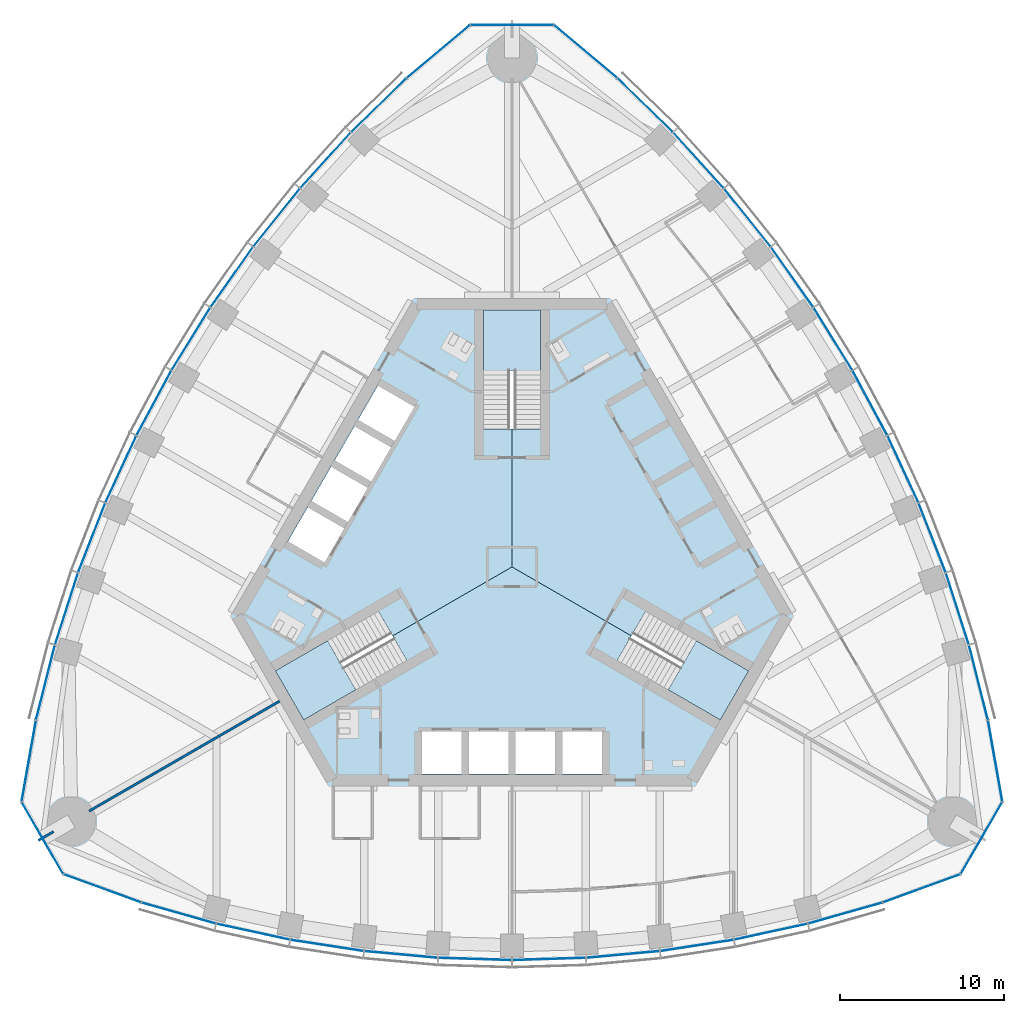
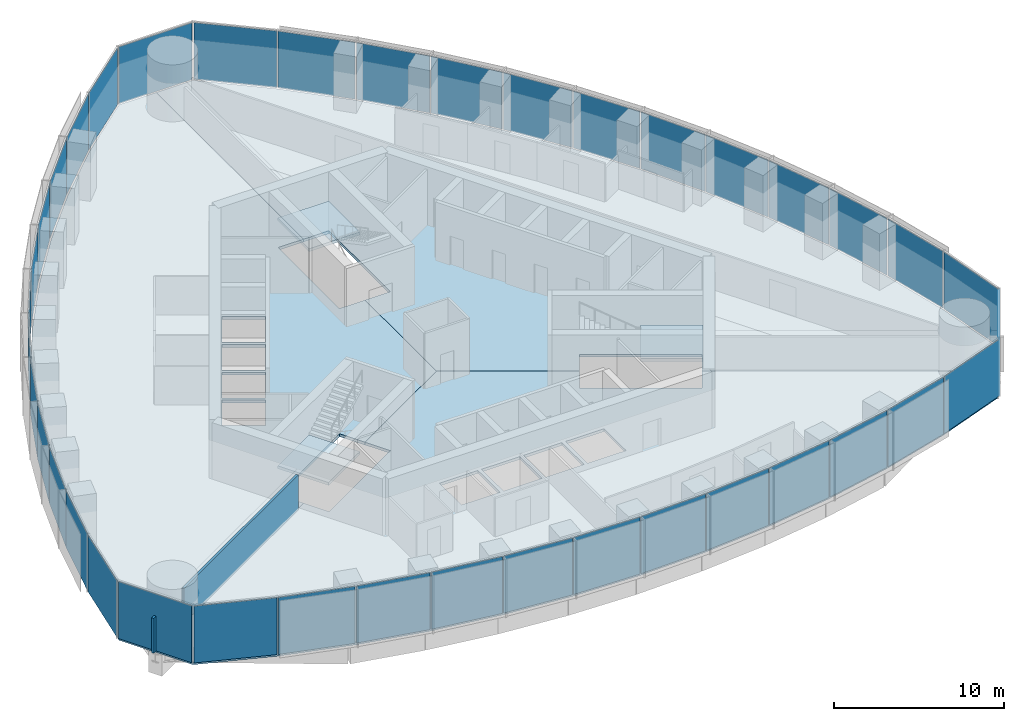
# One storey, part 7 of 15: 39 plates, 6 slabs, 2 walls, 9 elements without a shape of their own.
"""IFC4 building model written with IfcOpenShell, lengths in metres."""

from ifc_helpers import new_model, si_unit, direction, frame, frame_2d, origin, origin_2d, place, context, subcontext, project, spatial, polyline, rectangle, outline, extrude, material, layer, layer_set, type_object, element, aggregate, save


model = new_model("IFC4")

# Units and contexts
model_context = context("Model", 3, precision=1e-05, world=origin(), true_north=direction((0.0, 1.0)))
body_context = subcontext(model_context, "Body", "Model", "MODEL_VIEW")
ifc_project = project(units=[si_unit("LENGTHUNIT", "METRE"), si_unit("AREAUNIT", "SQUARE_METRE"), si_unit("VOLUMEUNIT", "CUBIC_METRE"), si_unit("PLANEANGLEUNIT", "RADIAN"), si_unit("MASSUNIT", "GRAM", prefix="KILO")], contexts=[model_context])

# Site, building, storey
site_placement = place(None, origin())
site = spatial("IfcSite", under=ifc_project, at=site_placement, CompositionType="ELEMENT")
building_placement = place(site_placement, origin())
building = spatial("IfcBuilding", under=site, at=building_placement, Name="Trefoil Bronze Tower", CompositionType="ELEMENT")
storey_placement = place(building_placement, frame((0.0, 0.0, 276.300048828125)))
storey = spatial("IfcBuildingStorey", under=building, at=storey_placement, Name="L63", CompositionType="ELEMENT", Elevation=276.300048828125)

# Curtain wall, plates
ifc_material_1 = material(Name="Tinted solar-control glass", Category="glass")
curtain_wall_type_1 = type_object("IfcCurtainWallType", Name="Bronze office curtain wall", PredefinedType="USERDEFINED", material=ifc_material_1)
curtain_wall_1_placement = place(storey_placement, origin())
curtain_wall_1 = element("IfcCurtainWall", 1, at=curtain_wall_1_placement, inside=storey, type_object=curtain_wall_type_1, Name="CW-A L63 F1", ObjectType="CURTAIN WALL", PredefinedType="USERDEFINED")
ifc_material_2 = material(Name="Tinted solar-control glass", Category="glass")
ifc_layer_1 = layer(ifc_material_2, 0.030029296875)
ifc_layer_set_1 = layer_set([ifc_layer_1], Name="Bronze office curtain wall glass panel")
plate_type_1 = type_object("IfcPlateType", Name="Bronze office curtain wall glass panel", PredefinedType="CURTAIN_PANEL", material=ifc_layer_set_1)
plate_1_placement = place(storey_placement, frame((-20.301513671875, -21.092529296875, 0.0), z_axis=(0.0, 0.0, 1.0), x_axis=(0.962097746943, -0.272704831875, 0.0)))
plate_1 = element("IfcPlate", 2, at=plate_1_placement, type_object=plate_type_1, Name="CW-A L63 F1 panel 1", PredefinedType="CURTAIN_PANEL", context=body_context, shape_type="SweptSolid", body=[
    extrude(rectangle(XDim=4.6474609375, YDim=0.030029296875, at=origin_2d()), origin(), (0.0, 0.0, 1.0), 4.080078125),
])
plate_2_placement = place(storey_placement, frame((-15.771240234375, -22.226318359375, 0.0), z_axis=(0.0, 0.0, 1.0), x_axis=(0.977303138829, -0.211845639168, 0.0)))
plate_2 = element("IfcPlate", 3, at=plate_2_placement, type_object=plate_type_1, Name="CW-A L63 F1 panel 2", PredefinedType="CURTAIN_PANEL", context=body_context, shape_type="SweptSolid", body=[
    extrude(rectangle(XDim=4.5244140625, YDim=0.030029296875, at=origin_2d()), origin(), (0.0, 0.0, 1.0), 4.080078125),
])
plate_3_placement = place(storey_placement, frame((-11.26513671875, -23.0595703125, 0.0), z_axis=(0.0, 0.0, 1.0), x_axis=(0.988485337216, -0.151316681529, 0.0)))
plate_3 = element("IfcPlate", 4, at=plate_3_placement, type_object=plate_type_1, Name="CW-A L63 F1 panel 3", PredefinedType="CURTAIN_PANEL", context=body_context, shape_type="SweptSolid", body=[
    extrude(rectangle(XDim=4.472412109375, YDim=0.030029296875, at=origin_2d()), origin(), (0.0, 0.0, 1.0), 4.080078125),
])
plate_4_placement = place(storey_placement, frame((-6.759033203125, -23.60986328125, 0.0), z_axis=(0.0, 0.0, 1.0), x_axis=(0.99587011625, -0.090789380212, 0.0)))
plate_4 = element("IfcPlate", 5, at=plate_4_placement, type_object=plate_type_1, Name="CW-A L63 F1 panel 4", PredefinedType="CURTAIN_PANEL", context=body_context, shape_type="SweptSolid", body=[
    extrude(rectangle(XDim=4.438720703125, YDim=0.030029296875, at=origin_2d()), origin(), (0.0, 0.0, 1.0), 4.080078125),
])
plate_5_placement = place(storey_placement, frame((-2.2529296875, -23.883544921875, 0.0), z_axis=(0.0, 0.0, 1.0), x_axis=(0.999541969785, -0.030263024264, 0.0)))
plate_5 = element("IfcPlate", 6, at=plate_5_placement, type_object=plate_type_1, Name="CW-A L63 F1 panel 5", PredefinedType="CURTAIN_PANEL", context=body_context, shape_type="SweptSolid", body=[
    extrude(rectangle(XDim=4.422119140625, YDim=0.030029296875, at=origin_2d()), origin(), (0.0, 0.0, 1.0), 4.080078125),
])
plate_6_placement = place(storey_placement, frame((2.2529296875, -23.883544921875, 0.0), z_axis=(0.0, 0.0, 1.0), x_axis=(0.999541969785, 0.030263024264, 0.0)))
plate_6 = element("IfcPlate", 7, at=plate_6_placement, type_object=plate_type_1, Name="CW-A L63 F1 panel 6", PredefinedType="CURTAIN_PANEL", context=body_context, shape_type="SweptSolid", body=[
    extrude(rectangle(XDim=4.422119140625, YDim=0.030029296875, at=origin_2d()), origin(), (0.0, 0.0, 1.0), 4.080078125),
])
plate_7_placement = place(storey_placement, frame((6.759033203125, -23.60986328125, 0.0), z_axis=(0.0, 0.0, 1.0), x_axis=(0.99587011625, 0.090789380212, 0.0)))
plate_7 = element("IfcPlate", 8, at=plate_7_placement, type_object=plate_type_1, Name="CW-A L63 F1 panel 7", PredefinedType="CURTAIN_PANEL", context=body_context, shape_type="SweptSolid", body=[
    extrude(rectangle(XDim=4.438720703125, YDim=0.030029296875, at=origin_2d()), origin(), (0.0, 0.0, 1.0), 4.080078125),
])
plate_8_placement = place(storey_placement, frame((11.26513671875, -23.0595703125, 0.0), z_axis=(0.0, 0.0, 1.0), x_axis=(0.988485337216, 0.151316681529, 0.0)))
plate_8 = element("IfcPlate", 9, at=plate_8_placement, type_object=plate_type_1, Name="CW-A L63 F1 panel 8", PredefinedType="CURTAIN_PANEL", context=body_context, shape_type="SweptSolid", body=[
    extrude(rectangle(XDim=4.472412109375, YDim=0.030029296875, at=origin_2d()), origin(), (0.0, 0.0, 1.0), 4.080078125),
])
plate_9_placement = place(storey_placement, frame((15.771240234375, -22.226318359375, 0.0), z_axis=(0.0, 0.0, 1.0), x_axis=(0.977303138829, 0.211845639168, 0.0)))
plate_9 = element("IfcPlate", 10, at=plate_9_placement, type_object=plate_type_1, Name="CW-A L63 F1 panel 9", PredefinedType="CURTAIN_PANEL", context=body_context, shape_type="SweptSolid", body=[
    extrude(rectangle(XDim=4.5244140625, YDim=0.030029296875, at=origin_2d()), origin(), (0.0, 0.0, 1.0), 4.080078125),
])
plate_10_placement = place(storey_placement, frame((20.301513671875, -21.092529296875, 0.0), z_axis=(0.0, 0.0, 1.0), x_axis=(0.962097746943, 0.272704831875, 0.0)))
plate_10 = element("IfcPlate", 11, at=plate_10_placement, type_object=plate_type_1, Name="CW-A L63 F1 panel 10", PredefinedType="CURTAIN_PANEL", context=body_context, shape_type="SweptSolid", body=[
    extrude(rectangle(XDim=4.6474609375, YDim=0.030029296875, at=origin_2d()), origin(), (0.0, 0.0, 1.0), 4.080078125),
])
aggregate(curtain_wall_1, [plate_1, plate_2, plate_3, plate_4, plate_5, plate_6, plate_7, plate_8, plate_9, plate_10])

curtain_wall_2_placement = place(storey_placement, origin())
curtain_wall_2 = element("IfcCurtainWall", 12, at=curtain_wall_2_placement, inside=storey, type_object=curtain_wall_type_1, Name="CW-A L63 F2", ObjectType="CURTAIN WALL", PredefinedType="USERDEFINED")
plate_11_placement = place(storey_placement, frame((28.417236328125, -7.035400390625, 0.0), z_axis=(0.0, 0.0, 1.0), x_axis=(-0.244879561333, 0.969553505713, 0.0)))
plate_11 = element("IfcPlate", 13, at=plate_11_placement, type_object=plate_type_1, Name="CW-A L63 F2 panel 1", PredefinedType="CURTAIN_PANEL", context=body_context, shape_type="SweptSolid", body=[
    extrude(rectangle(XDim=4.6474609375, YDim=0.030029296875, at=origin_2d()), origin(), (0.0, 0.0, 1.0), 4.080078125),
])
plate_12_placement = place(storey_placement, frame((27.134033203125, -2.545166015625, 0.0), z_axis=(0.0, 0.0, 1.0), x_axis=(-0.305187864214, 0.952292165009, 0.0)))
plate_12 = element("IfcPlate", 14, at=plate_12_placement, type_object=plate_type_1, Name="CW-A L63 F2 panel 2", PredefinedType="CURTAIN_PANEL", context=body_context, shape_type="SweptSolid", body=[
    extrude(rectangle(XDim=4.5244140625, YDim=0.030029296875, at=origin_2d()), origin(), (0.0, 0.0, 1.0), 4.080078125),
])
plate_13_placement = place(storey_placement, frame((25.602783203125, 1.77392578125, 0.0), z_axis=(0.0, 0.0, 1.0), x_axis=(-0.363198578387, 0.931711754062, 0.0)))
plate_13 = element("IfcPlate", 15, at=plate_13_placement, type_object=plate_type_1, Name="CW-A L63 F2 panel 3", PredefinedType="CURTAIN_PANEL", context=body_context, shape_type="SweptSolid", body=[
    extrude(rectangle(XDim=4.472412109375, YDim=0.030029296875, at=origin_2d()), origin(), (0.0, 0.0, 1.0), 4.080078125),
])
plate_14_placement = place(storey_placement, frame((23.826171875, 5.951416015625, 0.0), z_axis=(0.0, 0.0, 1.0), x_axis=(-0.419309148468, 0.907843509649, 0.0)))
plate_14 = element("IfcPlate", 16, at=plate_14_placement, type_object=plate_type_1, Name="CW-A L63 F2 panel 4", PredefinedType="CURTAIN_PANEL", context=body_context, shape_type="SweptSolid", body=[
    extrude(rectangle(XDim=4.438720703125, YDim=0.030029296875, at=origin_2d()), origin(), (0.0, 0.0, 1.0), 4.080078125),
])
plate_15_placement = place(storey_placement, frame((21.81005859375, 9.990478515625, 0.0), z_axis=(0.0, 0.0, 1.0), x_axis=(-0.473562437085, 0.880760250115, 0.0)))
plate_15 = element("IfcPlate", 17, at=plate_15_placement, type_object=plate_type_1, Name="CW-A L63 F2 panel 5", PredefinedType="CURTAIN_PANEL", context=body_context, shape_type="SweptSolid", body=[
    extrude(rectangle(XDim=4.422119140625, YDim=0.030029296875, at=origin_2d()), origin(), (0.0, 0.0, 1.0), 4.080078125),
])
plate_16_placement = place(storey_placement, frame((19.55712890625, 13.892822265625, 0.0), z_axis=(0.0, 0.0, 1.0), x_axis=(-0.525979532701, 0.850497225851, 0.0)))
plate_16 = element("IfcPlate", 18, at=plate_16_placement, type_object=plate_type_1, Name="CW-A L63 F2 panel 6", PredefinedType="CURTAIN_PANEL", context=body_context, shape_type="SweptSolid", body=[
    extrude(rectangle(XDim=4.422119140625, YDim=0.030029296875, at=origin_2d()), origin(), (0.0, 0.0, 1.0), 4.080078125),
])
plate_17_placement = place(storey_placement, frame((17.067138671875, 17.658447265625, 0.0), z_axis=(0.0, 0.0, 1.0), x_axis=(-0.576560967783, 0.817054129437, 0.0)))
plate_17 = element("IfcPlate", 19, at=plate_17_placement, type_object=plate_type_1, Name="CW-A L63 F2 panel 7", PredefinedType="CURTAIN_PANEL", context=body_context, shape_type="SweptSolid", body=[
    extrude(rectangle(XDim=4.438720703125, YDim=0.030029296875, at=origin_2d()), origin(), (0.0, 0.0, 1.0), 4.080078125),
])
plate_18_placement = place(storey_placement, frame((14.337646484375, 21.28564453125, 0.0), z_axis=(0.0, 0.0, 1.0), x_axis=(-0.625286758829, 0.780395072533, 0.0)))
plate_18 = element("IfcPlate", 20, at=plate_18_placement, type_object=plate_type_1, Name="CW-A L63 F2 panel 8", PredefinedType="CURTAIN_PANEL", context=body_context, shape_type="SweptSolid", body=[
    extrude(rectangle(XDim=4.472412109375, YDim=0.030029296875, at=origin_2d()), origin(), (0.0, 0.0, 1.0), 4.080078125),
])
plate_19_placement = place(storey_placement, frame((11.36279296875, 24.771484375, 0.0), z_axis=(0.0, 0.0, 1.0), x_axis=(-0.672115274615, 0.74044652584, 0.0)))
plate_19 = element("IfcPlate", 21, at=plate_19_placement, type_object=plate_type_1, Name="CW-A L63 F2 panel 9", PredefinedType="CURTAIN_PANEL", context=body_context, shape_type="SweptSolid", body=[
    extrude(rectangle(XDim=4.5244140625, YDim=0.030029296875, at=origin_2d()), origin(), (0.0, 0.0, 1.0), 4.080078125),
])
plate_20_placement = place(storey_placement, frame((8.115966796875, 28.127685546875, 0.0), z_axis=(0.0, 0.0, 1.0), x_axis=(-0.71721818561, 0.696848673839, 0.0)))
plate_20 = element("IfcPlate", 22, at=plate_20_placement, type_object=plate_type_1, Name="CW-A L63 F2 panel 10", PredefinedType="CURTAIN_PANEL", context=body_context, shape_type="SweptSolid", body=[
    extrude(rectangle(XDim=4.6474609375, YDim=0.030029296875, at=origin_2d()), origin(), (0.0, 0.0, 1.0), 4.080078125),
])
aggregate(curtain_wall_2, [plate_11, plate_12, plate_13, plate_14, plate_15, plate_16, plate_17, plate_18, plate_19, plate_20])

curtain_wall_3_placement = place(storey_placement, origin())
curtain_wall_3 = element("IfcCurtainWall", 23, at=curtain_wall_3_placement, inside=storey, type_object=curtain_wall_type_1, Name="CW-A L63 F3", ObjectType="CURTAIN WALL", PredefinedType="USERDEFINED")
plate_21_placement = place(storey_placement, frame((-8.115966796875, 28.127685546875, 0.0), z_axis=(0.0, 0.0, 1.0), x_axis=(-0.71721818561, -0.696848673839, 0.0)))
plate_21 = element("IfcPlate", 24, at=plate_21_placement, type_object=plate_type_1, Name="CW-A L63 F3 panel 1", PredefinedType="CURTAIN_PANEL", context=body_context, shape_type="SweptSolid", body=[
    extrude(rectangle(XDim=4.6474609375, YDim=0.030029296875, at=origin_2d()), origin(), (0.0, 0.0, 1.0), 4.080078125),
])
plate_22_placement = place(storey_placement, frame((-11.36279296875, 24.771484375, 0.0), z_axis=(0.0, 0.0, 1.0), x_axis=(-0.672115274615, -0.74044652584, 0.0)))
plate_22 = element("IfcPlate", 25, at=plate_22_placement, type_object=plate_type_1, Name="CW-A L63 F3 panel 2", PredefinedType="CURTAIN_PANEL", context=body_context, shape_type="SweptSolid", body=[
    extrude(rectangle(XDim=4.5244140625, YDim=0.030029296875, at=origin_2d()), origin(), (0.0, 0.0, 1.0), 4.080078125),
])
plate_23_placement = place(storey_placement, frame((-14.337646484375, 21.28564453125, 0.0), z_axis=(0.0, 0.0, 1.0), x_axis=(-0.625286758829, -0.780395072533, 0.0)))
plate_23 = element("IfcPlate", 26, at=plate_23_placement, type_object=plate_type_1, Name="CW-A L63 F3 panel 3", PredefinedType="CURTAIN_PANEL", context=body_context, shape_type="SweptSolid", body=[
    extrude(rectangle(XDim=4.472412109375, YDim=0.030029296875, at=origin_2d()), origin(), (0.0, 0.0, 1.0), 4.080078125),
])
plate_24_placement = place(storey_placement, frame((-17.067138671875, 17.658447265625, 0.0), z_axis=(0.0, 0.0, 1.0), x_axis=(-0.576560967783, -0.817054129437, 0.0)))
plate_24 = element("IfcPlate", 27, at=plate_24_placement, type_object=plate_type_1, Name="CW-A L63 F3 panel 4", PredefinedType="CURTAIN_PANEL", context=body_context, shape_type="SweptSolid", body=[
    extrude(rectangle(XDim=4.438720703125, YDim=0.030029296875, at=origin_2d()), origin(), (0.0, 0.0, 1.0), 4.080078125),
])
plate_25_placement = place(storey_placement, frame((-19.55712890625, 13.892822265625, 0.0), z_axis=(0.0, 0.0, 1.0), x_axis=(-0.525979532701, -0.850497225851, 0.0)))
plate_25 = element("IfcPlate", 28, at=plate_25_placement, type_object=plate_type_1, Name="CW-A L63 F3 panel 5", PredefinedType="CURTAIN_PANEL", context=body_context, shape_type="SweptSolid", body=[
    extrude(rectangle(XDim=4.422119140625, YDim=0.030029296875, at=origin_2d()), origin(), (0.0, 0.0, 1.0), 4.080078125),
])
plate_26_placement = place(storey_placement, frame((-21.81005859375, 9.990478515625, 0.0), z_axis=(0.0, 0.0, 1.0), x_axis=(-0.473562437085, -0.880760250115, 0.0)))
plate_26 = element("IfcPlate", 29, at=plate_26_placement, type_object=plate_type_1, Name="CW-A L63 F3 panel 6", PredefinedType="CURTAIN_PANEL", context=body_context, shape_type="SweptSolid", body=[
    extrude(rectangle(XDim=4.422119140625, YDim=0.030029296875, at=origin_2d()), origin(), (0.0, 0.0, 1.0), 4.080078125),
])
plate_27_placement = place(storey_placement, frame((-23.826171875, 5.951416015625, 0.0), z_axis=(0.0, 0.0, 1.0), x_axis=(-0.419309148468, -0.907843509649, 0.0)))
plate_27 = element("IfcPlate", 30, at=plate_27_placement, type_object=plate_type_1, Name="CW-A L63 F3 panel 7", PredefinedType="CURTAIN_PANEL", context=body_context, shape_type="SweptSolid", body=[
    extrude(rectangle(XDim=4.438720703125, YDim=0.030029296875, at=origin_2d()), origin(), (0.0, 0.0, 1.0), 4.080078125),
])
plate_28_placement = place(storey_placement, frame((-25.602783203125, 1.77392578125, 0.0), z_axis=(0.0, 0.0, 1.0), x_axis=(-0.363198578387, -0.931711754062, 0.0)))
plate_28 = element("IfcPlate", 31, at=plate_28_placement, type_object=plate_type_1, Name="CW-A L63 F3 panel 8", PredefinedType="CURTAIN_PANEL", context=body_context, shape_type="SweptSolid", body=[
    extrude(rectangle(XDim=4.472412109375, YDim=0.030029296875, at=origin_2d()), origin(), (0.0, 0.0, 1.0), 4.080078125),
])
plate_29_placement = place(storey_placement, frame((-27.134033203125, -2.545166015625, 0.0), z_axis=(0.0, 0.0, 1.0), x_axis=(-0.305187864214, -0.952292165009, 0.0)))
plate_29 = element("IfcPlate", 32, at=plate_29_placement, type_object=plate_type_1, Name="CW-A L63 F3 panel 9", PredefinedType="CURTAIN_PANEL", context=body_context, shape_type="SweptSolid", body=[
    extrude(rectangle(XDim=4.5244140625, YDim=0.030029296875, at=origin_2d()), origin(), (0.0, 0.0, 1.0), 4.080078125),
])
plate_30_placement = place(storey_placement, frame((-28.417236328125, -7.035400390625, 0.0), z_axis=(0.0, 0.0, 1.0), x_axis=(-0.244879561333, -0.969553505713, 0.0)))
plate_30 = element("IfcPlate", 33, at=plate_30_placement, type_object=plate_type_1, Name="CW-A L63 F3 panel 10", PredefinedType="CURTAIN_PANEL", context=body_context, shape_type="SweptSolid", body=[
    extrude(rectangle(XDim=4.6474609375, YDim=0.030029296875, at=origin_2d()), origin(), (0.0, 0.0, 1.0), 4.080078125),
])
aggregate(curtain_wall_3, [plate_21, plate_22, plate_23, plate_24, plate_25, plate_26, plate_27, plate_28, plate_29, plate_30])

ifc_material_3 = material(Name="Tinted solar-control glass", Category="glass")
curtain_wall_type_2 = type_object("IfcCurtainWallType", Name="Bronze rounded corner curtain wall", PredefinedType="USERDEFINED", material=ifc_material_3)
curtain_wall_4_placement = place(storey_placement, origin())
curtain_wall_4 = element("IfcCurtainWall", 34, at=curtain_wall_4_placement, inside=storey, type_object=curtain_wall_type_2, Name="CW-B L63 K1", ObjectType="CURTAIN WALL", PredefinedType="USERDEFINED")
ifc_material_4 = material(Name="Tinted solar-control glass", Category="glass")
ifc_layer_2 = layer(ifc_material_4, 0.030029296875)
ifc_layer_set_2 = layer_set([ifc_layer_2], Name="Bronze rounded corner curtain wall glass panel")
plate_type_2 = type_object("IfcPlateType", Name="Bronze rounded corner curtain wall glass panel", PredefinedType="CURTAIN_PANEL", material=ifc_layer_set_2)
plate_31_placement = place(storey_placement, frame((24.939453125, -19.587646484375, 0.0), z_axis=(0.0, 0.0, 1.0), x_axis=(0.939692620786, 0.342020143326, 0.0)))
plate_31 = element("IfcPlate", 35, at=plate_31_placement, type_object=plate_type_2, Name="CW-B L63 K1 panel 1", PredefinedType="CURTAIN_PANEL", context=body_context, shape_type="SweptSolid", body=[
    extrude(rectangle(XDim=4.956298828125, YDim=0.030029296875, at=origin_2d()), origin(), (0.0, 0.0, 1.0), 4.080078125),
])
plate_32_placement = place(storey_placement, frame((28.602783203125, -16.513916015625, 0.0), z_axis=(0.0, 0.0, 1.0), x_axis=(0.5, 0.866025403784, 0.0)))
plate_32 = element("IfcPlate", 36, at=plate_32_placement, type_object=plate_type_2, Name="CW-B L63 K1 panel 2", PredefinedType="CURTAIN_PANEL", context=body_context, shape_type="SweptSolid", body=[
    extrude(rectangle(XDim=4.956298828125, YDim=0.030029296875, at=origin_2d()), origin(), (0.0, 0.0, 1.0), 4.080078125),
])
plate_33_placement = place(storey_placement, frame((29.43310546875, -11.80419921875, 0.0), z_axis=(0.0, 0.0, 1.0), x_axis=(-0.173648177667, 0.984807753012, 0.0)))
plate_33 = element("IfcPlate", 37, at=plate_33_placement, type_object=plate_type_2, Name="CW-B L63 K1 panel 3", PredefinedType="CURTAIN_PANEL", context=body_context, shape_type="SweptSolid", body=[
    extrude(rectangle(XDim=4.956298828125, YDim=0.030029296875, at=origin_2d()), origin(), (0.0, 0.0, 1.0), 4.080078125),
])
aggregate(curtain_wall_4, [plate_31, plate_32, plate_33])

curtain_wall_5_placement = place(storey_placement, origin())
curtain_wall_5 = element("IfcCurtainWall", 38, at=curtain_wall_5_placement, inside=storey, type_object=curtain_wall_type_2, Name="CW-B L63 K2", ObjectType="CURTAIN WALL", PredefinedType="USERDEFINED")
plate_34_placement = place(storey_placement, frame((4.493896484375, 31.39208984375, 0.0), z_axis=(0.0, 0.0, 1.0), x_axis=(-0.766044443119, 0.642787609687, 0.0)))
plate_34 = element("IfcPlate", 39, at=plate_34_placement, type_object=plate_type_2, Name="CW-B L63 K2 panel 1", PredefinedType="CURTAIN_PANEL", context=body_context, shape_type="SweptSolid", body=[
    extrude(rectangle(XDim=4.956298828125, YDim=0.030029296875, at=origin_2d()), origin(), (0.0, 0.0, 1.0), 4.080078125),
])
plate_35_placement = place(storey_placement, frame((0.0, 33.027587890625, 0.0), z_axis=(0.0, 0.0, 1.0), x_axis=(-1.0, 0.0, 0.0)))
plate_35 = element("IfcPlate", 40, at=plate_35_placement, type_object=plate_type_2, Name="CW-B L63 K2 panel 2", PredefinedType="CURTAIN_PANEL", context=body_context, shape_type="SweptSolid", body=[
    extrude(rectangle(XDim=4.956298828125, YDim=0.030029296875, at=origin_2d()), origin(), (0.0, 0.0, 1.0), 4.080078125),
])
plate_36_placement = place(storey_placement, frame((-4.493896484375, 31.39208984375, 0.0), z_axis=(0.0, 0.0, 1.0), x_axis=(-0.766044443119, -0.642787609687, 0.0)))
plate_36 = element("IfcPlate", 41, at=plate_36_placement, type_object=plate_type_2, Name="CW-B L63 K2 panel 3", PredefinedType="CURTAIN_PANEL", context=body_context, shape_type="SweptSolid", body=[
    extrude(rectangle(XDim=4.956298828125, YDim=0.030029296875, at=origin_2d()), origin(), (0.0, 0.0, 1.0), 4.080078125),
])
aggregate(curtain_wall_5, [plate_34, plate_35, plate_36])

curtain_wall_6_placement = place(storey_placement, origin())
curtain_wall_6 = element("IfcCurtainWall", 42, at=curtain_wall_6_placement, inside=storey, type_object=curtain_wall_type_2, Name="CW-B L63 K3", ObjectType="CURTAIN WALL", PredefinedType="USERDEFINED")
plate_37_placement = place(storey_placement, frame((-29.43310546875, -11.80419921875, 0.0), z_axis=(0.0, 0.0, 1.0), x_axis=(-0.173648177667, -0.984807753012, 0.0)))
plate_37 = element("IfcPlate", 43, at=plate_37_placement, type_object=plate_type_2, Name="CW-B L63 K3 panel 1", PredefinedType="CURTAIN_PANEL", context=body_context, shape_type="SweptSolid", body=[
    extrude(rectangle(XDim=4.956298828125, YDim=0.030029296875, at=origin_2d()), origin(), (0.0, 0.0, 1.0), 4.080078125),
])
plate_38_placement = place(storey_placement, frame((-28.602783203125, -16.513916015625, 0.0), z_axis=(0.0, 0.0, 1.0), x_axis=(0.5, -0.866025403784, 0.0)))
plate_38 = element("IfcPlate", 44, at=plate_38_placement, type_object=plate_type_2, Name="CW-B L63 K3 panel 2", PredefinedType="CURTAIN_PANEL", context=body_context, shape_type="SweptSolid", body=[
    extrude(rectangle(XDim=4.956298828125, YDim=0.030029296875, at=origin_2d()), origin(), (0.0, 0.0, 1.0), 4.080078125),
])
plate_39_placement = place(storey_placement, frame((-24.939453125, -19.587646484375, 0.0), z_axis=(0.0, 0.0, 1.0), x_axis=(0.939692620786, -0.342020143326, 0.0)))
plate_39 = element("IfcPlate", 45, at=plate_39_placement, type_object=plate_type_2, Name="CW-B L63 K3 panel 3", PredefinedType="CURTAIN_PANEL", context=body_context, shape_type="SweptSolid", body=[
    extrude(rectangle(XDim=4.956298828125, YDim=0.030029296875, at=origin_2d()), origin(), (0.0, 0.0, 1.0), 4.080078125),
])
aggregate(curtain_wall_6, [plate_37, plate_38, plate_39])

# Slabs
ifc_material_5 = material(Name="Concrete B30", Category="concrete")
ifc_layer_3 = layer(ifc_material_5, 0.199951171875)
ifc_layer_set_3 = layer_set([ifc_layer_3], Name="Floor slab 200")
slab_type_1 = type_object("IfcSlabType", Name="Floor slab 200", PredefinedType="FLOOR", material=ifc_layer_set_3)
slab_1_placement = place(storey_placement, frame((0.0, 0.0, -0.199951171875)))
element("IfcSlab", 46, at=slab_1_placement, inside=storey, type_object=slab_type_1, Name="Floor slab L63 face 1", PredefinedType="FLOOR", context=body_context, shape_type="SweptSolid", body=[
    extrude(outline(polyline([(13.5, -22.6162109375), (9.0, -23.30517578125), (4.5, -23.71533203125), (0.0, -23.8515625), (-4.5, -23.71533203125), (-9.0, -23.30517578125), (-13.5, -22.6162109375), (-18.0, -21.640869140625), (-22.54833984375, -20.3515625), (-27.261962890625, -18.635986328125), (-28.51611328125, -16.4638671875), (-13.510009765625, -7.800048828125), (-12.6474609375, -9.2939453125), (-6.412109375, -5.69384765625), (-7.274658203125, -4.199951171875), (0.0, 0.0), (7.274658203125, -4.199951171875), (6.412109375, -5.69384765625), (12.6474609375, -9.2939453125), (13.510009765625, -7.800048828125), (28.51611328125, -16.4638671875), (27.261962890625, -18.635986328125), (22.54833984375, -20.3515625), (18.0, -21.640869140625), (13.5, -22.6162109375)]), holes=[polyline([(-5.574951171875, -10.02490234375), (-2.97509765625, -10.02490234375), (-2.97509765625, -12.60009765625), (-5.574951171875, -12.60009765625), (-5.574951171875, -10.02490234375)]), polyline([(-2.72509765625, -10.02490234375), (-0.125, -10.02490234375), (-0.125, -12.60009765625), (-2.72509765625, -12.60009765625), (-2.72509765625, -10.02490234375)]), polyline([(0.125, -10.02490234375), (2.72509765625, -10.02490234375), (2.72509765625, -12.60009765625), (0.125, -12.60009765625), (0.125, -10.02490234375)]), polyline([(2.97509765625, -10.02490234375), (5.574951171875, -10.02490234375), (5.574951171875, -12.60009765625), (2.97509765625, -12.60009765625), (2.97509765625, -10.02490234375)])]), origin(), (0.0, 0.0, 1.0), 0.199951171875),
])
slab_2_placement = place(storey_placement, frame((0.0, 0.0, -0.199951171875)))
element("IfcSlab", 47, at=slab_2_placement, inside=storey, type_object=slab_type_1, Name="Floor slab L63 face 2", PredefinedType="FLOOR", context=body_context, shape_type="SweptSolid", body=[
    extrude(outline(polyline([(12.836181640625, 22.99951171875), (15.682861328125, 19.44677734375), (18.2880859375, 15.7548828125), (20.656005859375, 11.92578125), (22.7880859375, 7.96044921875), (24.682861328125, 3.8583984375), (26.336181640625, -0.38330078125), (27.741455078125, -4.76806640625), (28.899169921875, -9.3515625), (29.770263671875, -14.291748046875), (28.51611328125, -16.4638671875), (13.510009765625, -7.800048828125), (14.37255859375, -6.30615234375), (8.13720703125, -2.7060546875), (7.274658203125, -4.199951171875), (0.0, 0.0), (0.0, 8.39990234375), (1.72509765625, 8.39990234375), (1.72509765625, 15.60009765625), (0.0, 15.60009765625), (0.0, 32.927490234375), (2.508056640625, 32.927490234375), (6.350830078125, 29.703125), (9.741455078125, 26.408935546875), (12.836181640625, 22.99951171875)])), origin(), (0.0, 0.0, 1.0), 0.199951171875),
])
slab_3_placement = place(storey_placement, frame((0.0, 0.0, -0.199951171875)))
element("IfcSlab", 48, at=slab_3_placement, inside=storey, type_object=slab_type_1, Name="Floor slab L63 face 3", PredefinedType="FLOOR", context=body_context, shape_type="SweptSolid", body=[
    extrude(outline(polyline([(-26.336181640625, -0.38330078125), (-24.682861328125, 3.8583984375), (-22.7880859375, 7.96044921875), (-20.656005859375, 11.92578125), (-18.2880859375, 15.7548828125), (-15.682861328125, 19.44677734375), (-12.836181640625, 22.99951171875), (-9.741455078125, 26.408935546875), (-6.350830078125, 29.703125), (-2.508056640625, 32.927490234375), (0.0, 32.927490234375), (0.0, 15.60009765625), (-1.72509765625, 15.60009765625), (-1.72509765625, 8.39990234375), (0.0, 8.39990234375), (0.0, 0.0), (-7.274658203125, -4.199951171875), (-8.13720703125, -2.7060546875), (-14.37255859375, -6.30615234375), (-13.510009765625, -7.800048828125), (-28.51611328125, -16.4638671875), (-29.770263671875, -14.291748046875), (-28.899169921875, -9.3515625), (-27.741455078125, -4.76806640625), (-26.336181640625, -0.38330078125)]), holes=[polyline([(-5.894287109375, 9.840576171875), (-7.1943359375, 7.5888671875), (-9.42431640625, 8.87646484375), (-8.12451171875, 11.128173828125), (-5.894287109375, 9.840576171875)]), polyline([(-7.3193359375, 7.372314453125), (-8.619384765625, 5.120849609375), (-10.849365234375, 6.408203125), (-9.54931640625, 8.659912109375), (-7.3193359375, 7.372314453125)]), polyline([(-8.744384765625, 4.904296875), (-10.04443359375, 2.652587890625), (-12.2744140625, 3.940185546875), (-10.974365234375, 6.191650390625), (-8.744384765625, 4.904296875)]), polyline([(-10.16943359375, 2.43603515625), (-11.469482421875, 0.184326171875), (-13.699462890625, 1.471923828125), (-12.3994140625, 3.7236328125), (-10.16943359375, 2.43603515625)])]), origin(), (0.0, 0.0, 1.0), 0.199951171875),
])

# Stair, slab
ifc_material_6 = material(Name="Precast concrete B80", Category="concrete")
stair_type = type_object("IfcStairType", Name="Exit stair 26 risers", PredefinedType="HALF_TURN_STAIR", material=ifc_material_6)
stair_1_placement = place(storey_placement, origin())
stair_1 = element("IfcStair", 49, at=stair_1_placement, inside=storey, type_object=stair_type, Name="Stair ST1 L63", PredefinedType="HALF_TURN_STAIR")
ifc_material_7 = material(Name="Concrete B30", Category="concrete")
ifc_layer_4 = layer(ifc_material_7, 0.199951171875)
ifc_layer_set_4 = layer_set([ifc_layer_4], Name="Stair landing 200")
slab_type_2 = type_object("IfcSlabType", Name="Stair landing 200", PredefinedType="LANDING", material=ifc_layer_set_4)
slab_4_placement = place(storey_placement, frame((0.0, 0.0, 1.89990234375)))
slab_4 = element("IfcSlab", 50, at=slab_4_placement, type_object=slab_type_2, Name="ST1 landing 1", PredefinedType="LANDING", context=body_context, shape_type="SweptSolid", body=[
    extrude(outline(polyline([(9.512451171875, -7.48388671875), (12.69091796875, -9.31884765625), (14.415771484375, -6.3310546875), (11.237548828125, -4.49609375), (9.512451171875, -7.48388671875)])), origin(), (0.0, 0.0, 1.0), 0.199951171875),
])
aggregate(stair_1, [slab_4])

stair_2_placement = place(storey_placement, origin())
stair_2 = element("IfcStair", 51, at=stair_2_placement, inside=storey, type_object=stair_type, Name="Stair ST2 L63", PredefinedType="HALF_TURN_STAIR")
slab_5_placement = place(storey_placement, frame((0.0, 0.0, 1.89990234375)))
slab_5 = element("IfcSlab", 52, at=slab_5_placement, type_object=slab_type_2, Name="ST2 landing 1", PredefinedType="LANDING", context=body_context, shape_type="SweptSolid", body=[
    extrude(outline(polyline([(1.72509765625, 11.97998046875), (1.72509765625, 15.64990234375), (-1.72509765625, 15.64990234375), (-1.72509765625, 11.97998046875), (1.72509765625, 11.97998046875)])), origin(), (0.0, 0.0, 1.0), 0.199951171875),
])
aggregate(stair_2, [slab_5])

stair_3_placement = place(storey_placement, origin())
stair_3 = element("IfcStair", 53, at=stair_3_placement, inside=storey, type_object=stair_type, Name="Stair ST3 L63", PredefinedType="HALF_TURN_STAIR")
slab_6_placement = place(storey_placement, frame((0.0, 0.0, 1.89990234375)))
slab_6 = element("IfcSlab", 54, at=slab_6_placement, type_object=slab_type_2, Name="ST3 landing 1", PredefinedType="LANDING", context=body_context, shape_type="SweptSolid", body=[
    extrude(outline(polyline([(-11.237548828125, -4.49609375), (-14.415771484375, -6.3310546875), (-12.69091796875, -9.31884765625), (-9.512451171875, -7.48388671875), (-11.237548828125, -4.49609375)])), origin(), (0.0, 0.0, 1.0), 0.199951171875),
])
aggregate(stair_3, [slab_6])

# Walls
ifc_material_8 = material(Name="Gypsum board on steel studs", Category="steel")
ifc_layer_5 = layer(ifc_material_8, 0.14990234375)
ifc_layer_set_5 = layer_set([ifc_layer_5], Name="Party wall 150")
wall_type = type_object("IfcWallType", Name="Party wall 150", PredefinedType="PARTITIONING", material=ifc_layer_set_5)
wall_1_placement = place(storey_placement, frame((-14.159423828125, -8.175048828125, 0.0), z_axis=(0.0, 0.0, 1.0), x_axis=(-0.866026905467, -0.499997399001, 0.0)))
element("IfcWall", 55, at=wall_1_placement, inside=storey, type_object=wall_type, Name="Party wall K3 L63", PredefinedType="PARTITIONING", context=body_context, shape_type="SweptSolid", body=[
    extrude(rectangle(XDim=13.39990234375, YDim=0.14990234375, at=frame_2d((6.699951171875, 0.0))), origin(), (0.0, 0.0, 1.0), 2.5),
])
wall_2_placement = place(storey_placement, frame((-27.92919921875, -16.125, 0.0), z_axis=(0.0, 0.0, 1.0), x_axis=(-0.866086810508, -0.499893625349, 0.0)))
element("IfcWall", 56, at=wall_2_placement, inside=storey, type_object=wall_type, Name="Party wall K3 L63", PredefinedType="PARTITIONING", context=body_context, shape_type="SweptSolid", body=[
    extrude(rectangle(XDim=1.070068359375, YDim=0.14990234375, at=frame_2d((0.53515625, 0.0))), origin(), (0.0, 0.0, 1.0), 2.5),
])

save(model, "model.ifc")
